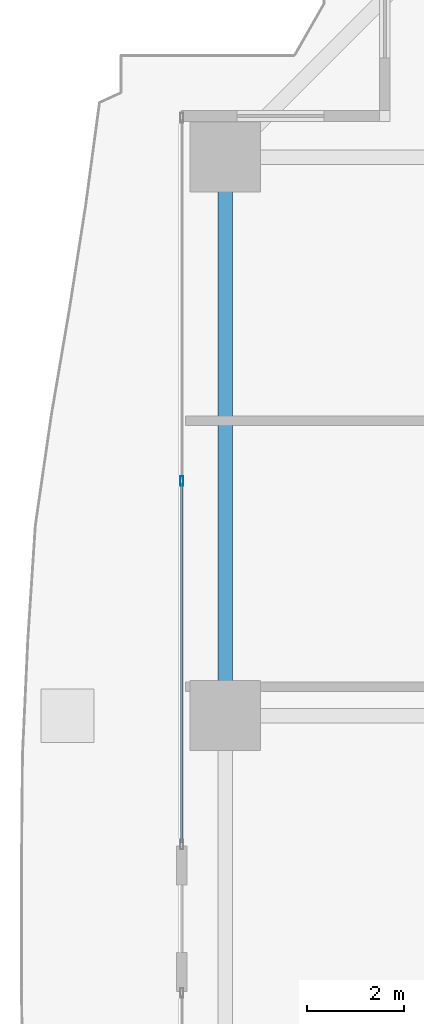
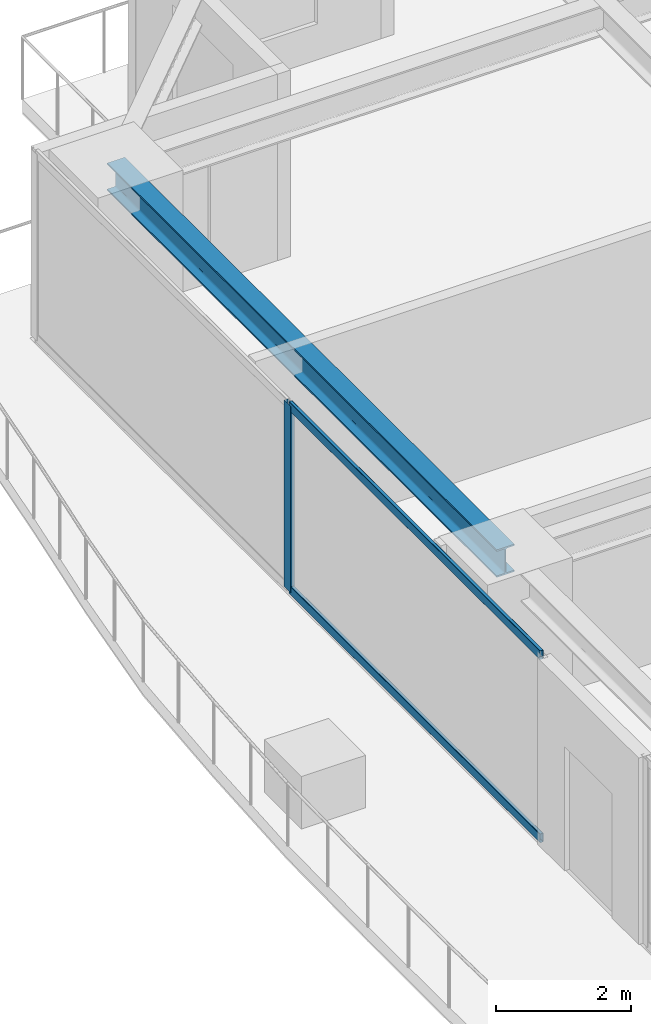
# One storey, part 16 of 40: 3 members, 1 beam, 1 element without a shape of its own.
"""IFC4 building model written with IfcOpenShell, lengths in metres."""

import ifcopenshell
import ifcopenshell.guid

model = None  # the IFC model being written
_history = None  # IfcOwnerHistory: only IFC2X3 demands one
_inside = {}  # id of a spatial element -> (the spatial element, [elements in it])
_under = {}  # id of a project, library or spatial element -> (it, [spatial elements below it])
_declared = {}  # id of a project -> (the project, [libraries it declares])
_typed = {}  # id of a type object -> (the type object, [elements of that type])
_made_of = {}  # id of a material, layer set ... -> (it, [elements and type objects made of it])


def new_model(schema):
    """Start an empty IFC model of exactly this schema.

    Asked for "IFC4X3", IfcOpenShell would pick the latest addendum, in which some entities
    have other attributes; the version numbers below select the first issue.
    IFC2X3 requires an IfcOwnerHistory on every rooted entity: one is made here for all.
    """
    global model, _history
    if schema == "IFC4X3":
        model = ifcopenshell.file(schema_version=(4, 3, 0, 0))
    else:
        model = ifcopenshell.file(schema=schema)
    _inside.clear()
    _under.clear()
    _declared.clear()
    _typed.clear()
    _made_of.clear()
    _history = None
    if model.schema == "IFC2X3":
        org = make("IfcOrganization", Name="unknown")
        user = make(
            "IfcPersonAndOrganization",
            ThePerson=make("IfcPerson", FamilyName="unknown"),
            TheOrganization=org,
        )
        app = make(
            "IfcApplication",
            ApplicationDeveloper=org,
            Version="unknown",
            ApplicationFullName="unknown",
            ApplicationIdentifier="unknown",
        )
        _history = make(
            "IfcOwnerHistory",
            OwningUser=user,
            OwningApplication=app,
            ChangeAction="ADDED",
            CreationDate=0,
        )
    return model


def make(cls, **values):
    """One entity of the class cls with the attributes given. An attribute that is None is left unset."""
    return model.create_entity(
        cls, **{name: value for name, value in values.items() if value is not None}
    )


def rooted(cls, **values):
    """An entity with a GlobalId (a new one), such as an element, a storey or a relation."""
    return make(cls, GlobalId=ifcopenshell.guid.new(), OwnerHistory=_history, **values)


def si_unit(unit_type, name, prefix=None):
    """IfcSIUnit, for example si_unit("LENGTHUNIT", "METRE", prefix="MILLI")."""
    return make("IfcSIUnit", UnitType=unit_type, Prefix=prefix, Name=name)


def assignment(units):
    """IfcUnitAssignment: the units of a project."""
    return None if units is None else make("IfcUnitAssignment", Units=units)


def point(xyz):
    """IfcCartesianPoint."""
    return None if xyz is None else make("IfcCartesianPoint", Coordinates=xyz)


def direction(xyz):
    """IfcDirection."""
    return None if xyz is None else make("IfcDirection", DirectionRatios=xyz)


def frame(location, z_axis=None, x_axis=None):
    """IfcAxis2Placement3D, a coordinate frame: its origin and axes. An axis left out is left unset."""
    return make(
        "IfcAxis2Placement3D",
        Location=point(location),
        Axis=direction(z_axis),
        RefDirection=direction(x_axis),
    )


def frame_2d(location, x_axis=None):
    """IfcAxis2Placement2D, a coordinate frame in the plane: its origin and x axis."""
    return make(
        "IfcAxis2Placement2D", Location=point(location), RefDirection=direction(x_axis)
    )


def origin():
    """The frame at (0, 0, 0) with its axes left unset."""
    return frame((0.0, 0.0, 0.0))


def origin_2d():
    """The frame at (0, 0) in the plane with its x axis left unset."""
    return frame_2d((0.0, 0.0))


def place(relative_to, where):
    """IfcLocalPlacement: puts the frame where relative to a parent placement (None: the world)."""
    return make(
        "IfcLocalPlacement", PlacementRelTo=relative_to, RelativePlacement=where
    )


def context(
    kind, dimensions, precision=None, world=None, true_north=None, identifier=None
):
    """IfcGeometricRepresentationContext, for example the 3D "Model" context."""
    return make(
        "IfcGeometricRepresentationContext",
        ContextIdentifier=identifier,
        ContextType=kind,
        CoordinateSpaceDimension=dimensions,
        Precision=precision,
        WorldCoordinateSystem=world,
        TrueNorth=true_north,
    )


def subcontext(parent, identifier, kind, view, scale=None):
    """IfcGeometricRepresentationSubContext, for example "Body" below "Model"."""
    return make(
        "IfcGeometricRepresentationSubContext",
        ContextIdentifier=identifier,
        ContextType=kind,
        ParentContext=parent,
        TargetScale=scale,
        TargetView=view,
    )


def project(units=None, contexts=None):
    """IfcProject with its units and contexts."""
    return rooted(
        "IfcProject",
        Name="project",
        RepresentationContexts=contexts,
        UnitsInContext=assignment(units),
    )


def spatial(cls, under=None, at=None, **own):
    """A site, building, storey or space (cls), placed at a placement, below another one or the project."""
    s = rooted(cls, ObjectPlacement=at, **own)
    if under is not None:
        _under.setdefault(under.id(), (under, []))[1].append(s)
    return s


def profile(cls, at=None, kind="AREA", **sizes):
    """A parametric profile (cls). Its sizes go by their IFC names, for example OverallWidth=200.0."""
    return make(cls, ProfileType=kind, Position=at, **sizes)


def hollow_rectangle(**sizes):
    """IfcRectangleHollowProfileDef."""
    return profile("IfcRectangleHollowProfileDef", **sizes)


def i_section(**sizes):
    """IfcIShapeProfileDef."""
    return profile("IfcIShapeProfileDef", **sizes)


def extrude(swept, where, along, depth):
    """IfcExtrudedAreaSolid: the profile swept, set in the frame where, extruded along a direction by depth."""
    return make(
        "IfcExtrudedAreaSolid",
        SweptArea=swept,
        Position=where,
        ExtrudedDirection=direction(along),
        Depth=depth,
    )


def shape(context_of_items, identifier, shape_type, items):
    """IfcShapeRepresentation: the items that make up one representation, for example the "Body"."""
    return make(
        "IfcShapeRepresentation",
        ContextOfItems=context_of_items,
        RepresentationIdentifier=identifier,
        RepresentationType=shape_type,
        Items=items,
    )


def source(mapping_origin, context_of_items, identifier, shape_type, items):
    """IfcRepresentationMap: a shape defined once, which mapped items show again and again."""
    return make(
        "IfcRepresentationMap",
        MappingOrigin=mapping_origin,
        MappedRepresentation=shape(context_of_items, identifier, shape_type, items),
    )


def transform(
    local_origin,
    x_axis=None,
    y_axis=None,
    z_axis=None,
    scale=None,
    scale2=None,
    scale3=None,
    uniform=True,
):
    """IfcCartesianTransformationOperator3D, or its non-uniform kind. x_axis, y_axis, z_axis: its Axis1, 2, 3."""
    if uniform:
        return make(
            "IfcCartesianTransformationOperator3D",
            Axis1=direction(x_axis),
            Axis2=direction(y_axis),
            LocalOrigin=point(local_origin),
            Scale=scale,
            Axis3=direction(z_axis),
        )
    return make(
        "IfcCartesianTransformationOperator3DnonUniform",
        Axis1=direction(x_axis),
        Axis2=direction(y_axis),
        LocalOrigin=point(local_origin),
        Scale=scale,
        Axis3=direction(z_axis),
        Scale2=scale2,
        Scale3=scale3,
    )


def mapped(mapping_source, mapping_target):
    """IfcMappedItem: shows the shape of a source again, moved by a transform."""
    return make(
        "IfcMappedItem", MappingSource=mapping_source, MappingTarget=mapping_target
    )


def material(Name=None, Category=None):
    """IfcMaterial."""
    return make("IfcMaterial", Name=Name, Category=Category)


def layer(
    of_material, thickness, ventilated=None, Name=None, Category=None, Priority=None
):
    """IfcMaterialLayer: one layer of a wall or slab, of a material (None: an air gap)."""
    return make(
        "IfcMaterialLayer",
        Material=of_material,
        LayerThickness=thickness,
        IsVentilated=ventilated,
        Name=Name,
        Category=Category,
        Priority=Priority,
    )


def layer_set(layers, Name=None):
    """IfcMaterialLayerSet."""
    return make("IfcMaterialLayerSet", MaterialLayers=layers, LayerSetName=Name)


def material_profile(
    of_material, cross_section, Name=None, Category=None, Priority=None
):
    """IfcMaterialProfile: a cross section and its material."""
    return make(
        "IfcMaterialProfile",
        Name=Name,
        Material=of_material,
        Profile=cross_section,
        Priority=Priority,
        Category=Category,
    )


def profile_set(profiles, Name=None, composite=None):
    """IfcMaterialProfileSet."""
    return make(
        "IfcMaterialProfileSet",
        Name=Name,
        MaterialProfiles=profiles,
        CompositeProfile=composite,
    )


def made_of(thing, what):
    """Note that an element or type object is made of a material, layer set ...; save() writes the relation."""
    if what is not None:
        _made_of.setdefault(what.id(), (what, []))[1].append(thing)
    return thing


def type_object(cls, material=None, **own):
    """A type object (cls), such as IfcWallType, which elements share."""
    return made_of(rooted(cls, **own), material)


def element(
    cls,
    number,
    at=None,
    inside=None,
    cuts=None,
    type_object=None,
    material=None,
    context=None,
    identifier="Body",
    shape_type=None,
    held_by="IfcProductDefinitionShape",
    body=None,
    shapes=None,
    **own,
):
    """One element of the class cls, such as IfcWall. Its Tag is "e" and its number.

    at: its placement. inside: the storey or other place that contains it. cuts: it is an
    opening in that element (IfcRelVoidsElement). A single representation is given by context,
    identifier, shape_type and body (its items); several are given by shapes. held_by: the class
    of the entity that holds the representations. save() writes the other relations.
    """
    e = rooted(cls, Tag="e%d" % number, ObjectPlacement=at, **own)
    if body is not None:
        shapes = [shape(context, identifier, shape_type, body)]
    if shapes is not None:
        e.Representation = make(held_by, Representations=shapes)
    if inside is not None:
        _inside.setdefault(inside.id(), (inside, []))[1].append(e)
    if cuts is not None:
        rooted(
            "IfcRelVoidsElement", RelatingBuildingElement=cuts, RelatedOpeningElement=e
        )
    if type_object is not None:
        _typed.setdefault(type_object.id(), (type_object, []))[1].append(e)
    return made_of(e, material)


def aggregate(whole, parts):
    """IfcRelAggregates: a whole, such as a stair, and the parts it consists of."""
    return rooted("IfcRelAggregates", RelatingObject=whole, RelatedObjects=parts)


def save(model, path):
    """Write the relations noted so far, then the file.

    IfcRelAggregates (storeys below a building ...), IfcRelContainedInSpatialStructure (elements
    in a storey), IfcRelDefinesByType, IfcRelAssociatesMaterial and IfcRelDeclares: one each for
    every whole, place, type object, material and project.
    """
    for whole, parts in _under.values():
        aggregate(whole, parts)
    for where, things in _inside.values():
        rooted(
            "IfcRelContainedInSpatialStructure",
            RelatedElements=things,
            RelatingStructure=where,
        )
    for kind, things in _typed.values():
        rooted("IfcRelDefinesByType", RelatedObjects=things, RelatingType=kind)
    for what, things in _made_of.values():
        rooted("IfcRelAssociatesMaterial", RelatedObjects=things, RelatingMaterial=what)
    for by, libraries in _declared.values():
        rooted("IfcRelDeclares", RelatingContext=by, RelatedDefinitions=libraries)
    model.write(path)


model = new_model("IFC4")

# Units and contexts
model_context = context("Model", 3, precision=1e-05, world=origin(), true_north=direction((0.0, 1.0)))
body_context = subcontext(model_context, "Body", "Model", "MODEL_VIEW")
ifc_project = project(units=[si_unit("LENGTHUNIT", "METRE"), si_unit("AREAUNIT", "SQUARE_METRE"), si_unit("VOLUMEUNIT", "CUBIC_METRE"), si_unit("PLANEANGLEUNIT", "RADIAN"), si_unit("MASSUNIT", "GRAM", prefix="KILO")], contexts=[model_context])

# Site, building, storey
site_placement = place(None, origin())
site = spatial("IfcSite", under=ifc_project, at=site_placement, CompositionType="ELEMENT")
building_placement = place(site_placement, origin())
building = spatial("IfcBuilding", under=site, at=building_placement, Name="Serunith Strait Residences", CompositionType="ELEMENT")
storey_placement = place(building_placement, frame((0.0, 0.0, 105.449951171875)))
storey = spatial("IfcBuildingStorey", under=building, at=storey_placement, Name="L26", CompositionType="ELEMENT", Elevation=105.449951171875)

# Beam
ifc_material_1 = material(Name="Steel S355J2", Category="steel")
ifc_material_profile_1 = material_profile(ifc_material_1, i_section(OverallWidth=0.300048828125, OverallDepth=0.5, WebThickness=0.014404296875, FlangeThickness=0.028076171875, FilletRadius=0.027099609375, at=origin_2d()), Name="HEB 500")
ifc_profile_set_1 = profile_set([ifc_material_profile_1], Name="Steel S355J2")
beam_type = type_object("IfcBeamType", Name="BM-HEB500", PredefinedType="BEAM", material=ifc_profile_set_1)
shared_shape_1 = source(origin(), body_context, "Body", "SweptSolid", [
    extrude(i_section(OverallWidth=0.300048828125, OverallDepth=0.5, WebThickness=0.014404296875, FlangeThickness=0.028076171875, FilletRadius=0.027099609375, at=origin_2d()), origin(), (0.0, 0.0, 1.0), 11.550048828125),
])
beam_placement = place(storey_placement, frame((6.89990234375, 40.949951171875, 3.136962890625), z_axis=(0.0, -1.0, 0.0), x_axis=(1.0, 0.0, 0.0)))
element("IfcBeam", 1, at=beam_placement, inside=storey, type_object=beam_type, Name="L26 Perimeter Ring Beam 13", PredefinedType="BEAM", context=body_context, shape_type="MappedRepresentation", body=[
    mapped(shared_shape_1, transform((0.0, 0.0, 0.0), scale=1.0)),
])

# Curtain wall, members
ifc_material_2 = material(Name="Pale-Champagne Anodised Aluminium", Category="aluminium")
ifc_layer = layer(ifc_material_2, 0.199951171875, Name="Pale-Champagne Anodised Aluminium")
ifc_layer_set = layer_set([ifc_layer], Name="Pale-Champagne Anodised Aluminium")
curtain_wall_type = type_object("IfcCurtainWallType", Name="CW-SYS1", PredefinedType="NOTDEFINED", material=ifc_layer_set)
curtain_wall_placement = place(storey_placement, origin())
curtain_wall = element("IfcCurtainWall", 2, at=curtain_wall_placement, inside=storey, type_object=curtain_wall_type, Name="L26 W Unitised Fritted Curtain Wall", PredefinedType="NOTDEFINED")
ifc_material_profile_2 = material_profile(ifc_material_2, hollow_rectangle(XDim=0.06005859375, YDim=0.159912109375, WallThickness=0.00341796875, InnerFilletRadius=0.00537109375, OuterFilletRadius=0.0087890625, at=origin_2d()), Name="ALU 160x60x3.5")
ifc_profile_set_2 = profile_set([ifc_material_profile_2], Name="Pale-Champagne Anodised Aluminium")
member_type_1 = type_object("IfcMemberType", Name="CW-SYS1-TRAN", PredefinedType="USERDEFINED", material=ifc_profile_set_2)
shared_shape_2 = source(origin(), body_context, "Body", "SweptSolid", [
    extrude(hollow_rectangle(XDim=0.06005859375, YDim=0.159912109375, WallThickness=0.00341796875, InnerFilletRadius=0.00537109375, OuterFilletRadius=0.0087890625, at=origin_2d()), origin(), (0.0, 0.0, 1.0), 7.445068359375),
])
member_1_placement = place(storey_placement, frame((6.0, 34.215087890625, 0.030029296875), z_axis=(0.0, -1.0, 0.0), x_axis=(1.0, 0.0, 0.0)))
member_1 = element("IfcMember", 3, at=member_1_placement, type_object=member_type_1, Name="CW-1 transom 2.1", ObjectType="TRANSOM", PredefinedType="USERDEFINED", context=body_context, shape_type="MappedRepresentation", body=[
    mapped(shared_shape_2, transform((0.0, 0.0, 0.0), scale=1.0)),
])
member_2_placement = place(storey_placement, frame((6.0, 34.215087890625, 3.344970703125), z_axis=(0.0, -1.0, 0.0), x_axis=(1.0, 0.0, 0.0)))
member_2 = element("IfcMember", 4, at=member_2_placement, type_object=member_type_1, Name="CW-1 transom 2.2", ObjectType="TRANSOM", PredefinedType="USERDEFINED", context=body_context, shape_type="MappedRepresentation", body=[
    mapped(shared_shape_2, transform((0.0, 0.0, 0.0), scale=1.0)),
])
ifc_material_profile_3 = material_profile(ifc_material_2, hollow_rectangle(XDim=0.070068359375, YDim=0.199951171875, WallThickness=0.00390625, InnerFilletRadius=0.006103515625, OuterFilletRadius=0.010009765625, at=origin_2d()), Name="ALU 200x70x4")
ifc_profile_set_3 = profile_set([ifc_material_profile_3], Name="Pale-Champagne Anodised Aluminium")
member_type_2 = type_object("IfcMemberType", Name="CW-SYS1-MULL", PredefinedType="MULLION", material=ifc_profile_set_3)
shared_shape_3 = source(origin(), body_context, "Body", "SweptSolid", [
    extrude(hollow_rectangle(XDim=0.070068359375, YDim=0.199951171875, WallThickness=0.00390625, InnerFilletRadius=0.006103515625, OuterFilletRadius=0.010009765625, at=origin_2d()), origin(), (0.0, 0.0, 1.0), 3.375),
])
member_3_placement = place(storey_placement, frame((6.0, 34.25, 0.0), z_axis=(0.0, 0.0, 1.0), x_axis=(1.0, 0.0, 0.0)))
member_3 = element("IfcMember", 5, at=member_3_placement, type_object=member_type_2, Name="CW-1 mullion 2", PredefinedType="MULLION", context=body_context, shape_type="MappedRepresentation", body=[
    mapped(shared_shape_3, transform((0.0, 0.0, 0.0), scale=1.0)),
])
aggregate(curtain_wall, [member_3, member_1, member_2])

save(model, "model.ifc")
